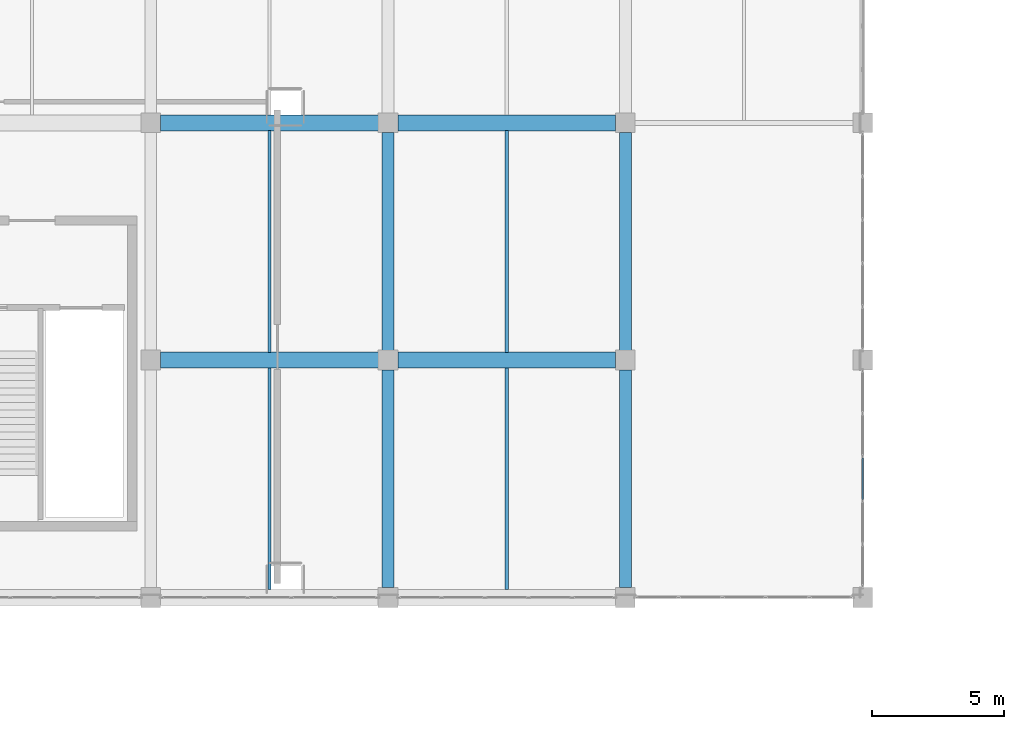
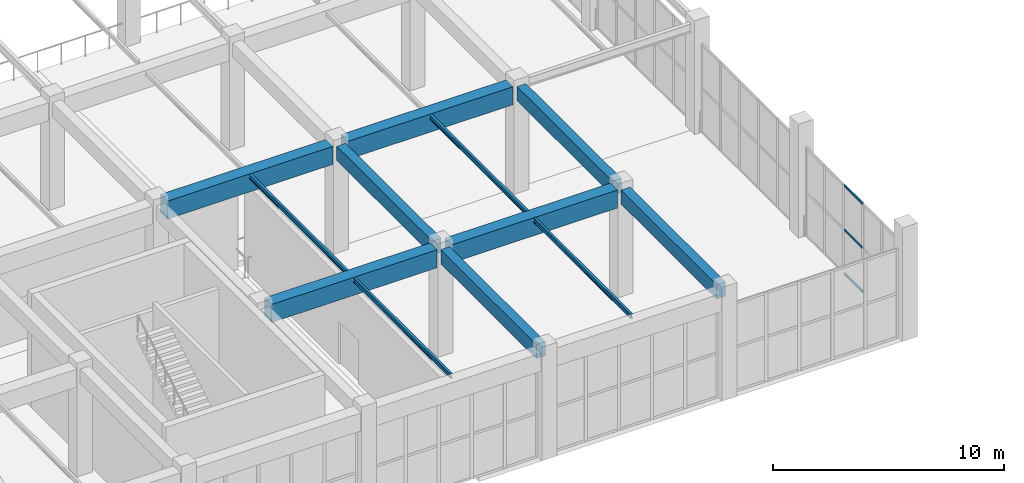
# One storey, part 103 of 223: 12 beams, 3 members, 1 element without a shape of its own.
"""IFC4 building model written with IfcOpenShell, lengths in metres."""

from ifc_helpers import new_model, si_unit, direction, frame, origin, origin_2d, place, context, subcontext, project, spatial, rectangle, hollow_rectangle, i_section, extrude, material, layer, layer_set, material_profile, profile_set, type_object, element, aggregate, save


model = new_model("IFC4")

# Units and contexts
model_context = context("Model", 3, precision=1e-05, world=origin(), true_north=direction((0.0, 1.0)))
body_context = subcontext(model_context, "Body", "Model", "MODEL_VIEW")
ifc_project = project(units=[si_unit("LENGTHUNIT", "METRE"), si_unit("AREAUNIT", "SQUARE_METRE"), si_unit("VOLUMEUNIT", "CUBIC_METRE"), si_unit("PLANEANGLEUNIT", "RADIAN"), si_unit("MASSUNIT", "GRAM", prefix="KILO")], contexts=[model_context])

# Site, building, storey
site_placement = place(None, origin())
site = spatial("IfcSite", under=ifc_project, at=site_placement, CompositionType="ELEMENT")
building_placement = place(site_placement, origin())
building = spatial("IfcBuilding", under=site, at=building_placement, Name="Dornveld Trade and Exhibition Forum", CompositionType="ELEMENT")
storey_placement = place(building_placement, frame((0.0, 0.0, 6.0)))
storey = spatial("IfcBuildingStorey", under=building, at=storey_placement, Name="L01", CompositionType="ELEMENT", Elevation=6.0)

# Beams
ifc_material_1 = material(Name="Steel S355J2", Category="steel")
ifc_material_profile_1 = material_profile(ifc_material_1, i_section(OverallWidth=0.1201171875, OverallDepth=0.239990234375, WebThickness=0.006103515625, FlangeThickness=0.009765625, FilletRadius=0.014892578125, at=origin_2d()), Name="IPE 240")
ifc_profile_set_1 = profile_set([ifc_material_profile_1], Name="Steel S355J2")
beam_type_1 = type_object("IfcBeamType", Name="BM-JOIST-240", PredefinedType="JOIST", material=ifc_profile_set_1)
for number, where, z_axis, x_axis, name in (
    (1, (193.5, 108.297119140625, 5.52001953125), (0.0, 1.0, 0.0), (-1.0, 0.0, 0.0), "L01 secondary joist 1368"),
    (2, (193.5, 117.297119140625, 5.52001953125), (0.0, 1.0, 0.0), (-1.0, 0.0, 0.0), "L01 secondary joist 1369"),
    (3, (202.5, 108.297119140625, 5.52001953125), (0.0, 1.0, 0.0), (-1.0, 0.0, 0.0), "L01 secondary joist 1371"),
    (4, (202.5, 117.297119140625, 5.52001953125), (0.0, 1.0, 0.0), (-1.0, 0.0, 0.0), "L01 secondary joist 1372"),
):
    element("IfcBeam", number, at=place(storey_placement, frame(where, z_axis=z_axis, x_axis=x_axis)), inside=storey, type_object=beam_type_1, Name=name, PredefinedType="JOIST", context=body_context, shape_type="SweptSolid", body=[
        extrude(i_section(OverallWidth=0.1201171875, OverallDepth=0.239990234375, WebThickness=0.006103515625, FlangeThickness=0.009765625, FilletRadius=0.014892578125, at=origin_2d()), origin(), (0.0, 0.0, 1.0), 8.40576171875),
    ])
ifc_material_2 = material(Name="Precast concrete C50/60", Category="concrete")
ifc_material_profile_2 = material_profile(ifc_material_2, rectangle(XDim=0.449951171875, YDim=0.75, at=origin_2d()), Name="PC-BM 450x750")
ifc_profile_set_2 = profile_set([ifc_material_profile_2], Name="Precast concrete C50/60")
beam_type_2 = type_object("IfcBeamType", Name="BM-PC-450x750", PredefinedType="BEAM", material=ifc_profile_set_2)
for number, where, z_axis, x_axis, name in (
    (5, (198.0, 108.37109375, 5.264892578125), (0.0, 1.0, 0.0), (-1.0, 0.0, 0.0), "L01 Y-girder 1358"),
    (6, (198.0, 117.37109375, 5.264892578125), (0.0, 1.0, 0.0), (-1.0, 0.0, 0.0), "L01 Y-girder 1359"),
    (7, (207.0, 108.37109375, 5.264892578125), (0.0, 1.0, 0.0), (-1.0, 0.0, 0.0), "L01 Y-girder 1361"),
    (8, (207.0, 117.37109375, 5.264892578125), (0.0, 1.0, 0.0), (-1.0, 0.0, 0.0), "L01 Y-girder 1362"),
):
    element("IfcBeam", number, at=place(storey_placement, frame(where, z_axis=z_axis, x_axis=x_axis)), inside=storey, type_object=beam_type_2, Name=name, PredefinedType="BEAM", context=body_context, shape_type="SweptSolid", body=[
        extrude(rectangle(XDim=0.449951171875, YDim=0.75, at=origin_2d()), origin(), (0.0, 0.0, 1.0), 8.2578125),
    ])
ifc_material_3 = material(Name="Precast concrete C50/60", Category="concrete")
ifc_material_profile_3 = material_profile(ifc_material_3, rectangle(XDim=0.60009765625, YDim=0.949951171875, at=origin_2d()), Name="PC-GIR 600x950")
ifc_profile_set_3 = profile_set([ifc_material_profile_3], Name="Precast concrete C50/60")
beam_type_3 = type_object("IfcBeamType", Name="BM-PC-600x950", PredefinedType="T_BEAM", material=ifc_profile_set_3)
for number, where, z_axis, x_axis, name in (
    (9, (189.37109375, 117.0, 5.1650390625), (1.0, 0.0, 0.0), (0.0, 1.0, 0.0), "L01 X-girder 1339"),
    (10, (198.37109375, 117.0, 5.1650390625), (1.0, 0.0, 0.0), (0.0, 1.0, 0.0), "L01 X-girder 1340"),
    (11, (189.37109375, 126.0, 5.1650390625), (1.0, 0.0, 0.0), (0.0, 1.0, 0.0), "L01 X-girder 1343"),
    (12, (198.37109375, 126.0, 5.1650390625), (1.0, 0.0, 0.0), (0.0, 1.0, 0.0), "L01 X-girder 1344"),
):
    element("IfcBeam", number, at=place(storey_placement, frame(where, z_axis=z_axis, x_axis=x_axis)), inside=storey, type_object=beam_type_3, Name=name, PredefinedType="T_BEAM", context=body_context, shape_type="SweptSolid", body=[
        extrude(rectangle(XDim=0.60009765625, YDim=0.949951171875, at=origin_2d()), origin(), (0.0, 0.0, 1.0), 8.2578125),
    ])

# Curtain wall, members
ifc_material_4 = material(Name="Dark-bronze anodised aluminium and low-E glass", Category="aluminium")
ifc_layer = layer(ifc_material_4, 0.14501953125)
ifc_layer_set = layer_set([ifc_layer], Name="Dark-bronze anodised aluminium and low-E glass")
curtain_wall_type = type_object("IfcCurtainWallType", Name="CW-SYS-01", PredefinedType="USERDEFINED", material=ifc_layer_set)
curtain_wall_placement = place(storey_placement, origin())
curtain_wall = element("IfcCurtainWall", 13, at=curtain_wall_placement, inside=storey, type_object=curtain_wall_type, Name="L01 unitised curtain wall 109", ObjectType="UNITISED_CURTAIN_WALL", PredefinedType="USERDEFINED")
ifc_material_5 = material(Name="Dark-bronze anodised aluminium", Category="aluminium")
ifc_material_profile_4 = material_profile(ifc_material_5, hollow_rectangle(XDim=0.06005859375, YDim=0.1201171875, WallThickness=0.00390625, at=origin_2d()), Name="RHS 120x60x4")
ifc_profile_set_4 = profile_set([ifc_material_profile_4], Name="Dark-bronze anodised aluminium")
member_type = type_object("IfcMemberType", Name="CW-TRN-120", PredefinedType="USERDEFINED", material=ifc_profile_set_4)
member_1_placement = place(storey_placement, frame((216.0, 111.7041015625, 0.02587890625), z_axis=(0.0, 1.0, 0.0), x_axis=(-1.0, 0.0, 0.0)))
member_1 = element("IfcMember", 14, at=member_1_placement, type_object=member_type, Name="CW-01 transom 3.1", ObjectType="TRANSOM", PredefinedType="USERDEFINED", context=body_context, shape_type="SweptSolid", body=[
    extrude(hollow_rectangle(XDim=0.06005859375, YDim=0.1201171875, WallThickness=0.00390625, at=origin_2d()), origin(), (0.0, 0.0, 1.0), 1.591796875),
])
member_2_placement = place(storey_placement, frame((216.0, 111.7041015625, 2.347900390625), z_axis=(0.0, 1.0, 0.0), x_axis=(-1.0, 0.0, 0.0)))
member_2 = element("IfcMember", 15, at=member_2_placement, type_object=member_type, Name="CW-01 transom 3.2", ObjectType="TRANSOM", PredefinedType="USERDEFINED", context=body_context, shape_type="SweptSolid", body=[
    extrude(hollow_rectangle(XDim=0.06005859375, YDim=0.1201171875, WallThickness=0.00390625, at=origin_2d()), origin(), (0.0, 0.0, 1.0), 1.591796875),
])
member_3_placement = place(storey_placement, frame((216.0, 111.7041015625, 4.669921875), z_axis=(0.0, 1.0, 0.0), x_axis=(-1.0, 0.0, 0.0)))
member_3 = element("IfcMember", 16, at=member_3_placement, type_object=member_type, Name="CW-01 transom 3.3", ObjectType="TRANSOM", PredefinedType="USERDEFINED", context=body_context, shape_type="SweptSolid", body=[
    extrude(hollow_rectangle(XDim=0.06005859375, YDim=0.1201171875, WallThickness=0.00390625, at=origin_2d()), origin(), (0.0, 0.0, 1.0), 1.591796875),
])
aggregate(curtain_wall, [member_1, member_2, member_3])

save(model, "model.ifc")
